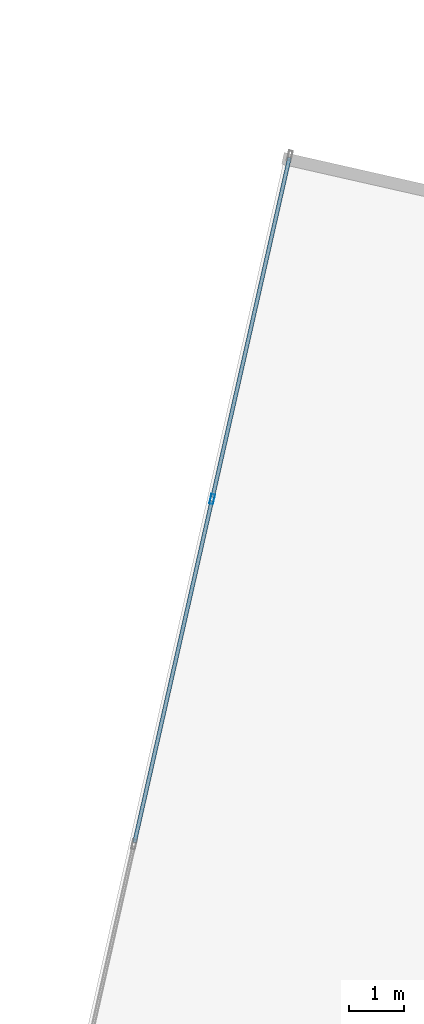
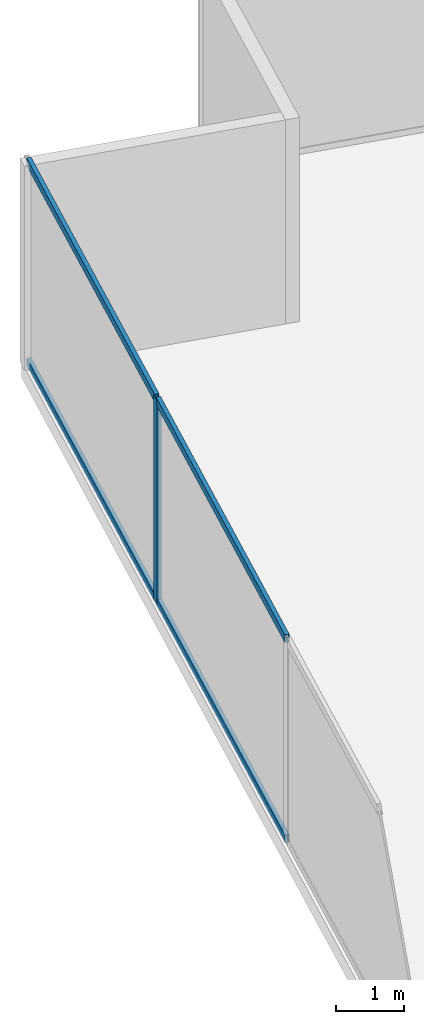
# One storey, part 15 of 26: 5 members, 1 element without a shape of its own.
"""IFC4 building model written with IfcOpenShell, lengths in metres."""

from ifc_helpers import new_model, si_unit, direction, frame, origin, origin_2d, place, context, subcontext, project, spatial, hollow_rectangle, extrude, source, transform, mapped, material, material_profile, profile_set, type_object, type_shapes, element, aggregate, save


model = new_model("IFC4")

# Units and contexts
model_context = context("Model", 3, precision=1e-05, world=origin(), true_north=direction((0.0, 1.0)))
body_context = subcontext(model_context, "Body", "Model", "MODEL_VIEW")
ifc_project = project(units=[si_unit("LENGTHUNIT", "METRE"), si_unit("AREAUNIT", "SQUARE_METRE"), si_unit("VOLUMEUNIT", "CUBIC_METRE"), si_unit("PLANEANGLEUNIT", "RADIAN"), si_unit("MASSUNIT", "GRAM", prefix="KILO")], contexts=[model_context])

# Site, building, storey
site_placement = place(None, origin())
site = spatial("IfcSite", under=ifc_project, at=site_placement, CompositionType="ELEMENT")
building_placement = place(site_placement, origin())
building = spatial("IfcBuilding", under=site, at=building_placement, Name="Krantzveldt Concourse Tower", CompositionType="ELEMENT")
storey_placement = place(building_placement, frame((0.0, 0.0, 94.0)))
storey = spatial("IfcBuildingStorey", under=building, at=storey_placement, Name="L22", CompositionType="ELEMENT", Elevation=94.0)

# Curtain wall, members
ifc_material = material(Name="Anodised aluminium 6063-T6", Category="aluminium")
curtain_wall_type = type_object("IfcCurtainWallType", Name="CW2", PredefinedType="USERDEFINED", material=ifc_material)
curtain_wall_placement = place(storey_placement, origin())
curtain_wall = element("IfcCurtainWall", 1, at=curtain_wall_placement, inside=storey, type_object=curtain_wall_type, Name="CW-L22-F01", ObjectType="UNITISED CURTAIN WALL", PredefinedType="USERDEFINED")
ifc_material_profile_1 = material_profile(ifc_material, hollow_rectangle(XDim=0.070068359375, YDim=0.179931640625, WallThickness=0.0048828125, at=origin_2d()), Name="Anodised aluminium 6063-T6", Category="aluminium")
ifc_profile_set_1 = profile_set([ifc_material_profile_1], Name="Anodised aluminium 6063-T6 - ALU-MULL 180x70x5")
member_type_1 = type_object("IfcMemberType", Name="CW-MUL-180", PredefinedType="MULLION", material=ifc_profile_set_1)
shared_shape_1 = source(origin(), body_context, "Body", "SweptSolid", [
    extrude(hollow_rectangle(XDim=0.070068359375, YDim=0.179931640625, WallThickness=0.0048828125, at=origin_2d()), origin(), (0.0, 0.0, 1.0), 3.669921875),
])
type_shapes(member_type_1, [shared_shape_1])
member_1_placement = place(storey_placement, frame((16.119140625, 44.458984375, 0.0), z_axis=(0.0, 0.0, 1.0), x_axis=(0.975342320609, -0.220697434579, 0.0)))
member_1 = element("IfcMember", 2, at=member_1_placement, type_object=member_type_1, Name="CW-Z12 mullion 2", PredefinedType="MULLION", context=body_context, shape_type="MappedRepresentation", body=[
    mapped(shared_shape_1, transform((0.0, 0.0, 0.0), x_axis=(1.0, 0.0, 0.0), y_axis=(0.0, 1.0, 0.0), z_axis=(0.0, 0.0, 1.0), scale=1.0)),
])
ifc_material_profile_2 = material_profile(ifc_material, hollow_rectangle(XDim=0.070068359375, YDim=0.139892578125, WallThickness=0.0048828125, at=origin_2d()), Name="Anodised aluminium 6063-T6", Category="aluminium")
ifc_profile_set_2 = profile_set([ifc_material_profile_2], Name="Anodised aluminium 6063-T6 - ALU-TRAN 140x70x5")
member_type_2 = type_object("IfcMemberType", Name="CW-TRN-150", PredefinedType="USERDEFINED", material=ifc_profile_set_2)
shared_shape_2 = source(origin(), body_context, "Body", "SweptSolid", [
    extrude(hollow_rectangle(XDim=0.070068359375, YDim=0.139892578125, WallThickness=0.0048828125, at=origin_2d()), origin(), (0.0, 0.0, 1.0), 6.361572265625),
])
member_2_placement = place(storey_placement, frame((17.53076171875, 50.69775390625, 0.034912109375), z_axis=(-0.220667229594, -0.975349154807, 0.0), x_axis=(0.975349154807, -0.220667229594, 0.0)))
member_2 = element("IfcMember", 3, at=member_2_placement, type_object=member_type_2, Name="CW-Z12 transom 1.1", ObjectType="TRANSOM", PredefinedType="USERDEFINED", context=body_context, shape_type="MappedRepresentation", body=[
    mapped(shared_shape_2, transform((0.0, 0.0, 0.0), x_axis=(1.0, 0.0, 0.0), y_axis=(0.0, 1.0, 0.0), z_axis=(0.0, 0.0, 1.0), scale=1.0)),
])
member_3_placement = place(storey_placement, frame((17.53076171875, 50.69775390625, 3.635009765625), z_axis=(-0.220667229594, -0.975349154807, 0.0), x_axis=(0.975349154807, -0.220667229594, 0.0)))
member_3 = element("IfcMember", 4, at=member_3_placement, type_object=member_type_2, Name="CW-Z12 transom 1.2", ObjectType="TRANSOM", PredefinedType="USERDEFINED", context=body_context, shape_type="MappedRepresentation", body=[
    mapped(shared_shape_2, transform((0.0, 0.0, 0.0), x_axis=(1.0, 0.0, 0.0), y_axis=(0.0, 1.0, 0.0), z_axis=(0.0, 0.0, 1.0), scale=1.0)),
])
shared_shape_3 = source(origin(), body_context, "Body", "SweptSolid", [
    extrude(hollow_rectangle(XDim=0.070068359375, YDim=0.139892578125, WallThickness=0.0048828125, at=origin_2d()), origin(), (0.0, 0.0, 1.0), 6.396728515625),
])
type_shapes(member_type_2, [shared_shape_2, shared_shape_3])
member_4_placement = place(storey_placement, frame((16.111328125, 44.4248046875, 0.034912109375), z_axis=(-0.220679058454, -0.975346478519, 0.0), x_axis=(0.975346478519, -0.220679058454, 0.0)))
member_4 = element("IfcMember", 5, at=member_4_placement, type_object=member_type_2, Name="CW-Z12 transom 2.1", ObjectType="TRANSOM", PredefinedType="USERDEFINED", context=body_context, shape_type="MappedRepresentation", body=[
    mapped(shared_shape_3, transform((0.0, 0.0, 0.0), x_axis=(1.0, 0.0, 0.0), y_axis=(0.0, 1.0, 0.0), z_axis=(0.0, 0.0, 1.0), scale=1.0)),
])
member_5_placement = place(storey_placement, frame((16.111328125, 44.4248046875, 3.635009765625), z_axis=(-0.220679058454, -0.975346478519, 0.0), x_axis=(0.975346478519, -0.220679058454, 0.0)))
member_5 = element("IfcMember", 6, at=member_5_placement, type_object=member_type_2, Name="CW-Z12 transom 2.2", ObjectType="TRANSOM", PredefinedType="USERDEFINED", context=body_context, shape_type="MappedRepresentation", body=[
    mapped(shared_shape_3, transform((0.0, 0.0, 0.0), x_axis=(1.0, 0.0, 0.0), y_axis=(0.0, 1.0, 0.0), z_axis=(0.0, 0.0, 1.0), scale=1.0)),
])
aggregate(curtain_wall, [member_1, member_2, member_3, member_4, member_5])

save(model, "model.ifc")
